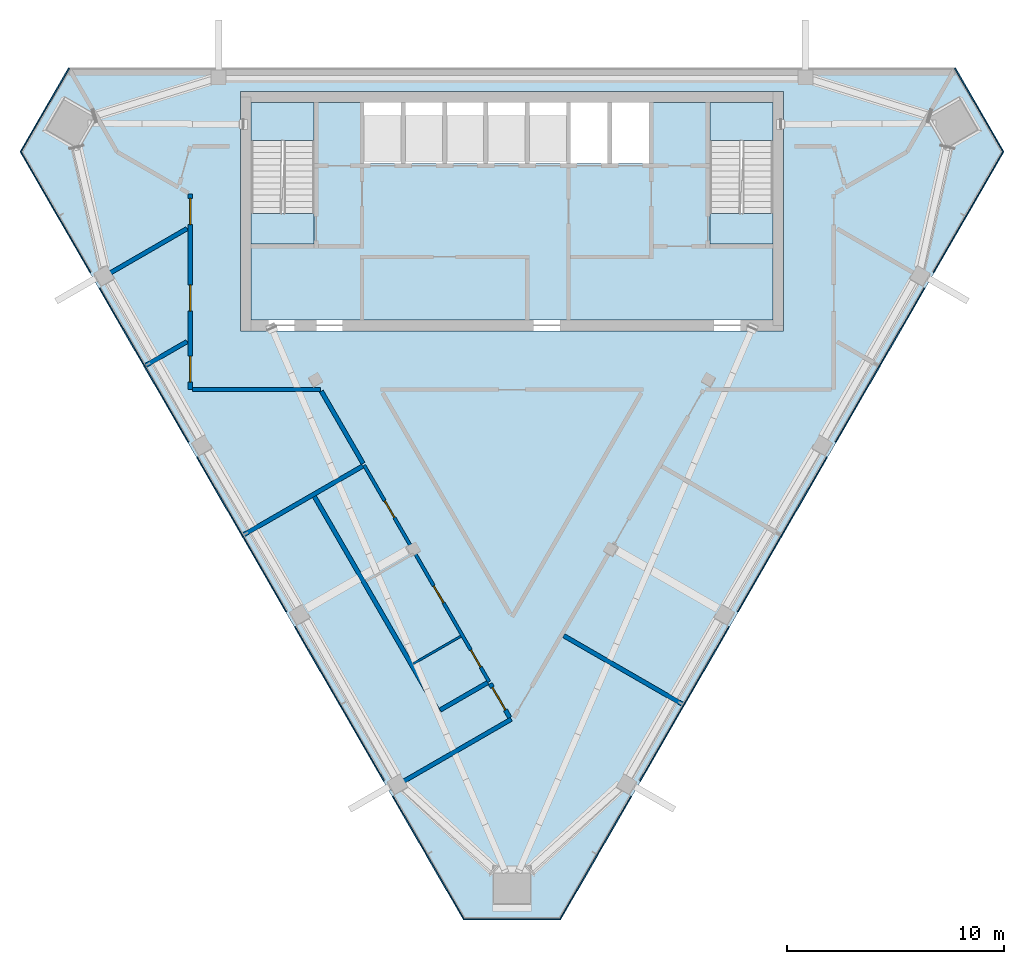
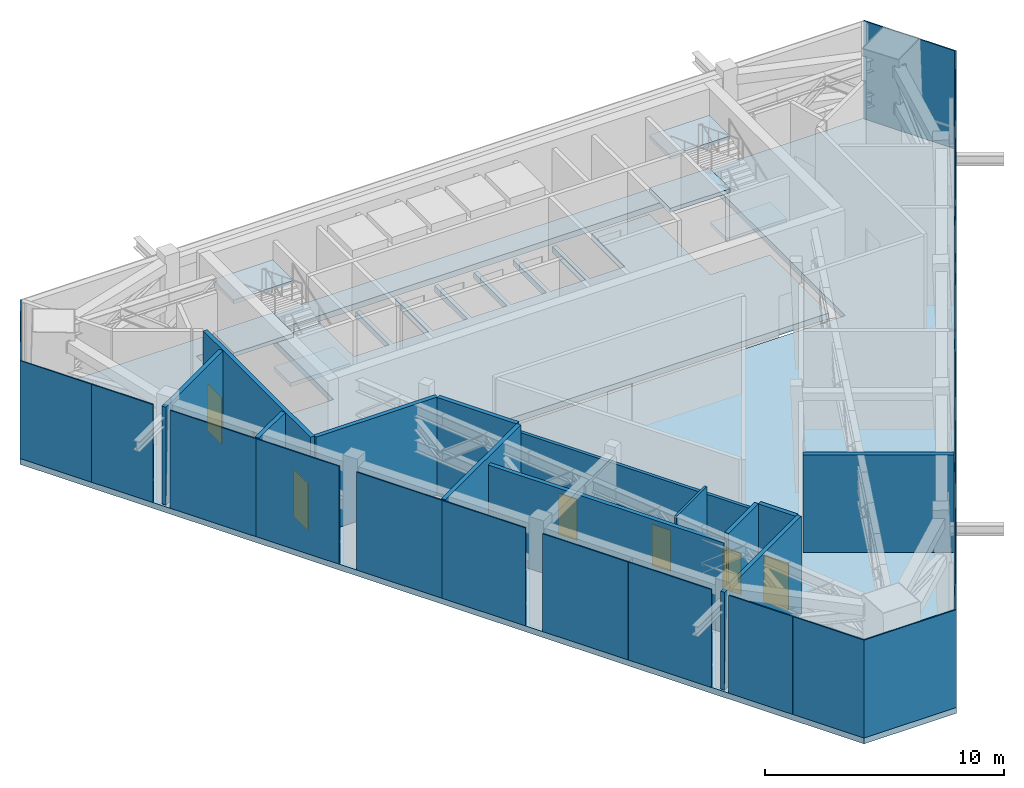
# One storey, part 7 of 13: 23 plates, 13 walls, 8 slabs, 7 doors, 7 openings, 7 elements without a shape of their own.
"""IFC4 building model written with IfcOpenShell, lengths in metres."""

from ifc_helpers import new_model, si_unit, direction, frame, frame_2d, origin, origin_2d, place, context, subcontext, project, spatial, polyline, rectangle, outline, extrude, material, layer, layer_set, type_object, element, fill, aggregate, save


model = new_model("IFC4")

# Units and contexts
model_context = context("Model", 3, precision=1e-05, world=origin(), true_north=direction((0.0, 1.0)))
body_context = subcontext(model_context, "Body", "Model", "MODEL_VIEW")
ifc_project = project(units=[si_unit("LENGTHUNIT", "METRE"), si_unit("AREAUNIT", "SQUARE_METRE"), si_unit("VOLUMEUNIT", "CUBIC_METRE"), si_unit("PLANEANGLEUNIT", "RADIAN"), si_unit("MASSUNIT", "GRAM", prefix="KILO")], contexts=[model_context])

# Site, building, storey
site_placement = place(None, origin())
site = spatial("IfcSite", under=ifc_project, at=site_placement, CompositionType="ELEMENT")
building_placement = place(site_placement, origin())
building = spatial("IfcBuilding", under=site, at=building_placement, Name="Altiplano Prism Tower", CompositionType="ELEMENT")
storey_placement = place(building_placement, frame((0.0, 0.0, 286.0)))
storey = spatial("IfcBuildingStorey", under=building, at=storey_placement, Name="L74", CompositionType="ELEMENT", Elevation=286.0)

# Curtain wall, plate
ifc_material_1 = material(Name="Aluminium and glass", Category="aluminium")
ifc_layer_1 = layer(ifc_material_1, 0.320068359375)
ifc_layer_set_1 = layer_set([ifc_layer_1], Name="Aluminium and glass")
curtain_wall_type = type_object("IfcCurtainWallType", Name="CW6 louvred plant-floor curtain wall", PredefinedType="NOTDEFINED", material=ifc_layer_set_1)
curtain_wall_1_placement = place(storey_placement, origin())
curtain_wall_1 = element("IfcCurtainWall", 1, at=curtain_wall_1_placement, inside=storey, type_object=curtain_wall_type, Name="CW6 curtain wall north-west chamfer L74", PredefinedType="NOTDEFINED")
ifc_material_2 = material(Name="Anodised aluminium", Category="aluminium")
ifc_layer_2 = layer(ifc_material_2, 0.06005859375)
ifc_layer_set_2 = layer_set([ifc_layer_2], Name="Anodised aluminium")
plate_type = type_object("IfcPlateType", Name="CW6 louvred aluminium panel 60", PredefinedType="CURTAIN_PANEL", material=ifc_layer_set_2)
plate_1_placement = place(storey_placement, frame((63.50927734375, 103.052734375, 0.0), z_axis=(0.0, 0.0, 1.0), x_axis=(-0.500000046055, -0.866025377194, 0.0)))
plate_1 = element("IfcPlate", 2, at=plate_1_placement, type_object=plate_type, Name="CW6 panel", PredefinedType="CURTAIN_PANEL", context=body_context, shape_type="SweptSolid", body=[
    extrude(rectangle(XDim=4.452392578125, YDim=0.06005859375, at=origin_2d()), origin(), (0.0, 0.0, 1.0), 5.0),
])
aggregate(curtain_wall_1, [plate_1])

# Curtain wall, plates
curtain_wall_2_placement = place(storey_placement, origin())
curtain_wall_2 = element("IfcCurtainWall", 3, at=curtain_wall_2_placement, inside=storey, type_object=curtain_wall_type, Name="CW6 curtain wall south-west face L74", PredefinedType="NOTDEFINED")
plate_2_placement = place(storey_placement, frame((63.25634765625, 99.65625, 0.0), z_axis=(0.0, 0.0, 1.0), x_axis=(0.499999994755, -0.866025406813, 0.0)))
plate_2 = element("IfcPlate", 4, at=plate_2_placement, type_object=plate_type, Name="CW6 panel", PredefinedType="CURTAIN_PANEL", context=body_context, shape_type="SweptSolid", body=[
    extrude(rectangle(XDim=3.4404296875, YDim=0.06005859375, at=origin_2d()), origin(), (0.0, 0.0, 1.0), 5.0),
])
plate_3_placement = place(storey_placement, frame((64.864013671875, 96.87158203125, 0.0), z_axis=(0.0, 0.0, 1.0), x_axis=(0.499999994755, -0.866025406813, 0.0)))
plate_3 = element("IfcPlate", 5, at=plate_3_placement, type_object=plate_type, Name="CW6 panel", PredefinedType="CURTAIN_PANEL", context=body_context, shape_type="SweptSolid", body=[
    extrude(rectangle(XDim=2.970458984375, YDim=0.06005859375, at=origin_2d()), origin(), (0.0, 0.0, 1.0), 5.0),
])
plate_4_placement = place(storey_placement, frame((67.056884765625, 93.07373046875, 0.0), z_axis=(0.0, 0.0, 1.0), x_axis=(0.499999994755, -0.866025406813, 0.0)))
plate_4 = element("IfcPlate", 6, at=plate_4_placement, type_object=plate_type, Name="CW6 panel", PredefinedType="CURTAIN_PANEL", context=body_context, shape_type="SweptSolid", body=[
    extrude(rectangle(XDim=4.139892578125, YDim=0.06005859375, at=origin_2d()), origin(), (0.0, 0.0, 1.0), 5.0),
])
plate_5_placement = place(storey_placement, frame((69.101806640625, 89.53173828125, 0.0), z_axis=(0.0, 0.0, 1.0), x_axis=(0.499999994755, -0.866025406813, 0.0)))
plate_5 = element("IfcPlate", 7, at=plate_5_placement, type_object=plate_type, Name="CW6 panel", PredefinedType="CURTAIN_PANEL", context=body_context, shape_type="SweptSolid", body=[
    extrude(rectangle(XDim=4.02001953125, YDim=0.06005859375, at=origin_2d()), origin(), (0.0, 0.0, 1.0), 5.0),
])
plate_6_placement = place(storey_placement, frame((71.556884765625, 85.279541015625, 0.0), z_axis=(0.0, 0.0, 1.0), x_axis=(0.499999994755, -0.866025406813, 0.0)))
plate_6 = element("IfcPlate", 8, at=plate_6_placement, type_object=plate_type, Name="CW6 panel", PredefinedType="CURTAIN_PANEL", context=body_context, shape_type="SweptSolid", body=[
    extrude(rectangle(XDim=4.139892578125, YDim=0.06005859375, at=origin_2d()), origin(), (0.0, 0.0, 1.0), 5.0),
])
plate_7_placement = place(storey_placement, frame((73.601806640625, 81.737548828125, 0.0), z_axis=(0.0, 0.0, 1.0), x_axis=(0.499999994755, -0.866025406813, 0.0)))
plate_7 = element("IfcPlate", 9, at=plate_7_placement, type_object=plate_type, Name="CW6 panel", PredefinedType="CURTAIN_PANEL", context=body_context, shape_type="SweptSolid", body=[
    extrude(rectangle(XDim=4.02001953125, YDim=0.06005859375, at=origin_2d()), origin(), (0.0, 0.0, 1.0), 5.0),
])
plate_8_placement = place(storey_placement, frame((76.056884765625, 77.4853515625, 0.0), z_axis=(0.0, 0.0, 1.0), x_axis=(0.499999994755, -0.866025406813, 0.0)))
plate_8 = element("IfcPlate", 10, at=plate_8_placement, type_object=plate_type, Name="CW6 panel", PredefinedType="CURTAIN_PANEL", context=body_context, shape_type="SweptSolid", body=[
    extrude(rectangle(XDim=4.139892578125, YDim=0.06005859375, at=origin_2d()), origin(), (0.0, 0.0, 1.0), 5.0),
])
plate_9_placement = place(storey_placement, frame((78.101806640625, 73.943359375, 0.0), z_axis=(0.0, 0.0, 1.0), x_axis=(0.499999994755, -0.866025406813, 0.0)))
plate_9 = element("IfcPlate", 11, at=plate_9_placement, type_object=plate_type, Name="CW6 panel", PredefinedType="CURTAIN_PANEL", context=body_context, shape_type="SweptSolid", body=[
    extrude(rectangle(XDim=4.02001953125, YDim=0.06005859375, at=origin_2d()), origin(), (0.0, 0.0, 1.0), 5.0),
])
plate_10_placement = place(storey_placement, frame((80.29443359375, 70.1455078125, 0.0), z_axis=(0.0, 0.0, 1.0), x_axis=(0.499999994755, -0.866025406813, 0.0)))
plate_10 = element("IfcPlate", 12, at=plate_10_placement, type_object=plate_type, Name="CW6 panel", PredefinedType="CURTAIN_PANEL", context=body_context, shape_type="SweptSolid", body=[
    extrude(rectangle(XDim=3.09033203125, YDim=0.06005859375, at=origin_2d()), origin(), (0.0, 0.0, 1.0), 5.0),
])
plate_11_placement = place(storey_placement, frame((81.93212890625, 67.308837890625, 0.0), z_axis=(0.0, 0.0, 1.0), x_axis=(0.499999994755, -0.866025406813, 0.0)))
plate_11 = element("IfcPlate", 13, at=plate_11_placement, type_object=plate_type, Name="CW6 panel", PredefinedType="CURTAIN_PANEL", context=body_context, shape_type="SweptSolid", body=[
    extrude(rectangle(XDim=3.4404296875, YDim=0.06005859375, at=origin_2d()), origin(), (0.0, 0.0, 1.0), 5.0),
])
aggregate(curtain_wall_2, [plate_2, plate_3, plate_4, plate_5, plate_6, plate_7, plate_8, plate_9, plate_10, plate_11])

# Curtain wall, plate
curtain_wall_3_placement = place(storey_placement, origin())
curtain_wall_3 = element("IfcCurtainWall", 14, at=curtain_wall_3_placement, inside=storey, type_object=curtain_wall_type, Name="CW6 curtain wall south chamfer L74", PredefinedType="NOTDEFINED")
plate_12_placement = place(storey_placement, frame((85.0, 65.829833984375, 0.0), z_axis=(0.0, 0.0, 1.0), x_axis=(1.0, 0.0, 0.0)))
plate_12 = element("IfcPlate", 15, at=plate_12_placement, type_object=plate_type, Name="CW6 panel", PredefinedType="CURTAIN_PANEL", context=body_context, shape_type="SweptSolid", body=[
    extrude(rectangle(XDim=4.452392578125, YDim=0.06005859375, at=origin_2d()), origin(), (0.0, 0.0, 1.0), 5.0),
])
aggregate(curtain_wall_3, [plate_12])

# Curtain wall, plates
curtain_wall_4_placement = place(storey_placement, origin())
curtain_wall_4 = element("IfcCurtainWall", 16, at=curtain_wall_4_placement, inside=storey, type_object=curtain_wall_type, Name="CW6 curtain wall south-east face L74", PredefinedType="NOTDEFINED")
plate_13_placement = place(storey_placement, frame((88.06787109375, 67.308837890625, 0.0), z_axis=(0.0, 0.0, 1.0), x_axis=(0.499999994755, 0.866025406813, 0.0)))
plate_13 = element("IfcPlate", 17, at=plate_13_placement, type_object=plate_type, Name="CW6 panel", PredefinedType="CURTAIN_PANEL", context=body_context, shape_type="SweptSolid", body=[
    extrude(rectangle(XDim=3.4404296875, YDim=0.06005859375, at=origin_2d()), origin(), (0.0, 0.0, 1.0), 5.0),
])
plate_14_placement = place(storey_placement, frame((89.70556640625, 70.1455078125, 0.0), z_axis=(0.0, 0.0, 1.0), x_axis=(0.499999994755, 0.866025406813, 0.0)))
plate_14 = element("IfcPlate", 18, at=plate_14_placement, type_object=plate_type, Name="CW6 panel", PredefinedType="CURTAIN_PANEL", context=body_context, shape_type="SweptSolid", body=[
    extrude(rectangle(XDim=3.09033203125, YDim=0.06005859375, at=origin_2d()), origin(), (0.0, 0.0, 1.0), 5.0),
])
plate_15_placement = place(storey_placement, frame((91.898193359375, 73.943359375, 0.0), z_axis=(0.0, 0.0, 1.0), x_axis=(0.499999994755, 0.866025406813, 0.0)))
plate_15 = element("IfcPlate", 19, at=plate_15_placement, type_object=plate_type, Name="CW6 panel", PredefinedType="CURTAIN_PANEL", context=body_context, shape_type="SweptSolid", body=[
    extrude(rectangle(XDim=4.02001953125, YDim=0.06005859375, at=origin_2d()), origin(), (0.0, 0.0, 1.0), 5.0),
])
plate_16_placement = place(storey_placement, frame((93.943115234375, 77.4853515625, 0.0), z_axis=(0.0, 0.0, 1.0), x_axis=(0.499999994755, 0.866025406813, 0.0)))
plate_16 = element("IfcPlate", 20, at=plate_16_placement, type_object=plate_type, Name="CW6 panel", PredefinedType="CURTAIN_PANEL", context=body_context, shape_type="SweptSolid", body=[
    extrude(rectangle(XDim=4.139892578125, YDim=0.06005859375, at=origin_2d()), origin(), (0.0, 0.0, 1.0), 5.0),
])
plate_17_placement = place(storey_placement, frame((96.398193359375, 81.737548828125, 0.0), z_axis=(0.0, 0.0, 1.0), x_axis=(0.499999994755, 0.866025406813, 0.0)))
plate_17 = element("IfcPlate", 21, at=plate_17_placement, type_object=plate_type, Name="CW6 panel", PredefinedType="CURTAIN_PANEL", context=body_context, shape_type="SweptSolid", body=[
    extrude(rectangle(XDim=4.02001953125, YDim=0.06005859375, at=origin_2d()), origin(), (0.0, 0.0, 1.0), 5.0),
])
plate_18_placement = place(storey_placement, frame((98.443115234375, 85.279541015625, 0.0), z_axis=(0.0, 0.0, 1.0), x_axis=(0.499999994755, 0.866025406813, 0.0)))
plate_18 = element("IfcPlate", 22, at=plate_18_placement, type_object=plate_type, Name="CW6 panel", PredefinedType="CURTAIN_PANEL", context=body_context, shape_type="SweptSolid", body=[
    extrude(rectangle(XDim=4.139892578125, YDim=0.06005859375, at=origin_2d()), origin(), (0.0, 0.0, 1.0), 5.0),
])
plate_19_placement = place(storey_placement, frame((100.898193359375, 89.53173828125, 0.0), z_axis=(0.0, 0.0, 1.0), x_axis=(0.499999994755, 0.866025406813, 0.0)))
plate_19 = element("IfcPlate", 23, at=plate_19_placement, type_object=plate_type, Name="CW6 panel", PredefinedType="CURTAIN_PANEL", context=body_context, shape_type="SweptSolid", body=[
    extrude(rectangle(XDim=4.02001953125, YDim=0.06005859375, at=origin_2d()), origin(), (0.0, 0.0, 1.0), 5.0),
])
plate_20_placement = place(storey_placement, frame((102.943115234375, 93.07373046875, 0.0), z_axis=(0.0, 0.0, 1.0), x_axis=(0.499999994755, 0.866025406813, 0.0)))
plate_20 = element("IfcPlate", 24, at=plate_20_placement, type_object=plate_type, Name="CW6 panel", PredefinedType="CURTAIN_PANEL", context=body_context, shape_type="SweptSolid", body=[
    extrude(rectangle(XDim=4.139892578125, YDim=0.06005859375, at=origin_2d()), origin(), (0.0, 0.0, 1.0), 5.0),
])
plate_21_placement = place(storey_placement, frame((105.135986328125, 96.87158203125, 0.0), z_axis=(0.0, 0.0, 1.0), x_axis=(0.499999994755, 0.866025406813, 0.0)))
plate_21 = element("IfcPlate", 25, at=plate_21_placement, type_object=plate_type, Name="CW6 panel", PredefinedType="CURTAIN_PANEL", context=body_context, shape_type="SweptSolid", body=[
    extrude(rectangle(XDim=2.970458984375, YDim=0.06005859375, at=origin_2d()), origin(), (0.0, 0.0, 1.0), 5.0),
])
plate_22_placement = place(storey_placement, frame((106.74365234375, 99.65625, 0.0), z_axis=(0.0, 0.0, 1.0), x_axis=(0.499999994755, 0.866025406813, 0.0)))
plate_22 = element("IfcPlate", 26, at=plate_22_placement, type_object=plate_type, Name="CW6 panel", PredefinedType="CURTAIN_PANEL", context=body_context, shape_type="SweptSolid", body=[
    extrude(rectangle(XDim=3.4404296875, YDim=0.06005859375, at=origin_2d()), origin(), (0.0, 0.0, 1.0), 5.0),
])
aggregate(curtain_wall_4, [plate_13, plate_14, plate_15, plate_16, plate_17, plate_18, plate_19, plate_20, plate_21, plate_22])

# Curtain wall, plate
curtain_wall_5_placement = place(storey_placement, origin())
curtain_wall_5 = element("IfcCurtainWall", 27, at=curtain_wall_5_placement, inside=storey, type_object=curtain_wall_type, Name="CW6 curtain wall north-east chamfer L74", PredefinedType="NOTDEFINED")
plate_23_placement = place(storey_placement, frame((106.49072265625, 103.052734375, 0.0), z_axis=(0.0, 0.0, 1.0), x_axis=(-0.500000046055, 0.866025377194, 0.0)))
plate_23 = element("IfcPlate", 28, at=plate_23_placement, type_object=plate_type, Name="CW6 panel", PredefinedType="CURTAIN_PANEL", context=body_context, shape_type="SweptSolid", body=[
    extrude(rectangle(XDim=4.452392578125, YDim=0.06005859375, at=origin_2d()), origin(), (0.0, 0.0, 1.0), 5.0),
])
aggregate(curtain_wall_5, [plate_23])

# Slabs
ifc_material_3 = material(Name="Concrete C40/50", Category="concrete")
ifc_layer_3 = layer(ifc_material_3, 0.300048828125)
ifc_layer_set_3 = layer_set([ifc_layer_3], Name="Concrete C40/50")
slab_type_1 = type_object("IfcSlabType", Name="Core floor slab 300", PredefinedType="FLOOR", material=ifc_layer_set_3)
slab_1_placement = place(storey_placement, frame((0.0, 0.0, -0.300048828125)))
element("IfcSlab", 29, at=slab_1_placement, inside=storey, type_object=slab_type_1, Name="Core floor slab L74", PredefinedType="FLOOR", context=body_context, shape_type="SweptSolid", body=[
    extrude(outline(polyline([(97.0, 98.31005859375), (94.10009765625, 98.31005859375), (94.10009765625, 103.39990234375), (91.300048828125, 103.39990234375), (91.300048828125, 100.60009765625), (89.60009765625, 100.60009765625), (89.60009765625, 103.39990234375), (89.39990234375, 103.39990234375), (89.39990234375, 100.60009765625), (87.699951171875, 100.60009765625), (87.699951171875, 103.39990234375), (87.5, 103.39990234375), (87.5, 100.60009765625), (85.800048828125, 100.60009765625), (85.800048828125, 103.39990234375), (85.60009765625, 103.39990234375), (85.60009765625, 100.60009765625), (83.89990234375, 100.60009765625), (83.89990234375, 103.39990234375), (83.699951171875, 103.39990234375), (83.699951171875, 100.60009765625), (82.0, 100.60009765625), (82.0, 103.39990234375), (81.800048828125, 103.39990234375), (81.800048828125, 100.60009765625), (80.10009765625, 100.60009765625), (80.10009765625, 103.39990234375), (79.89990234375, 103.39990234375), (79.89990234375, 100.60009765625), (78.199951171875, 100.60009765625), (78.199951171875, 103.39990234375), (75.89990234375, 103.39990234375), (75.89990234375, 98.31005859375), (73.0, 98.31005859375), (73.0, 93.39990234375), (97.0, 93.39990234375), (97.0, 98.31005859375)])), origin(), (0.0, 0.0, 1.0), 0.300048828125),
])
ifc_layer_4 = layer(ifc_material_3, 0.300048828125)
ifc_layer_set_4 = layer_set([ifc_layer_4], Name="Concrete C40/50")
slab_type_2 = type_object("IfcSlabType", Name="Post-tensioned flat slab 300", PredefinedType="FLOOR", material=ifc_layer_set_4)
slab_2_placement = place(storey_placement, frame((0.0, 0.0, -0.300048828125)))
element("IfcSlab", 30, at=slab_2_placement, inside=storey, type_object=slab_type_2, Name="Floor slab L74", PredefinedType="FLOOR", context=body_context, shape_type="SweptSolid", body=[
    extrude(outline(polyline([(107.63232421875, 101.135498046875), (87.231201171875, 65.7998046875), (82.768798828125, 65.7998046875), (62.36767578125, 101.135498046875), (64.598876953125, 105.0), (105.401123046875, 105.0), (107.63232421875, 101.135498046875)]), holes=[polyline([(97.5, 92.89990234375), (97.5, 103.89990234375), (72.5, 103.89990234375), (72.5, 92.89990234375), (97.5, 92.89990234375)])]), origin(), (0.0, 0.0, 1.0), 0.300048828125),
])

# Stair, slabs
stair_type = type_object("IfcStairType", Name="Exit stair 1400", PredefinedType="HALF_TURN_STAIR", material=ifc_material_3)
stair_1_placement = place(storey_placement, origin())
stair_1 = element("IfcStair", 31, at=stair_1_placement, inside=storey, type_object=stair_type, Name="L74 Exit Stair 1", PredefinedType="HALF_TURN_STAIR")
ifc_layer_5 = layer(ifc_material_3, 0.199951171875)
ifc_layer_set_5 = layer_set([ifc_layer_5], Name="Concrete C40/50")
slab_type_3 = type_object("IfcSlabType", Name="Stair landing 200", PredefinedType="LANDING", material=ifc_layer_set_5)
slab_3_placement = place(storey_placement, frame((0.0, 0.0, 1.14990234375)))
slab_3 = element("IfcSlab", 32, at=slab_3_placement, type_object=slab_type_3, Name="ST1 landing 1", PredefinedType="LANDING", context=body_context, shape_type="SweptSolid", body=[
    extrude(outline(polyline([(75.89990234375, 101.656982421875), (75.89990234375, 103.39990234375), (73.0, 103.39990234375), (73.0, 101.656982421875), (75.89990234375, 101.656982421875)])), origin(), (0.0, 0.0, 1.0), 0.2001953125),
])
slab_4_placement = place(storey_placement, frame((0.0, 0.0, 2.5)))
slab_4 = element("IfcSlab", 33, at=slab_4_placement, type_object=slab_type_3, Name="ST1 landing 2", PredefinedType="LANDING", context=body_context, shape_type="SweptSolid", body=[
    extrude(outline(polyline([(75.89990234375, 96.89990234375), (75.89990234375, 98.302978515625), (73.0, 98.302978515625), (73.0, 96.89990234375), (75.89990234375, 96.89990234375)])), origin(), (0.0, 0.0, 1.0), 0.199951171875),
])
slab_5_placement = place(storey_placement, frame((0.0, 0.0, 3.85009765625)))
slab_5 = element("IfcSlab", 34, at=slab_5_placement, type_object=slab_type_3, Name="ST1 landing 3", PredefinedType="LANDING", context=body_context, shape_type="SweptSolid", body=[
    extrude(outline(polyline([(75.89990234375, 101.656982421875), (75.89990234375, 103.39990234375), (73.0, 103.39990234375), (73.0, 101.656982421875), (75.89990234375, 101.656982421875)])), origin(), (0.0, 0.0, 1.0), 0.199951171875),
])
aggregate(stair_1, [slab_3, slab_4, slab_5])

stair_2_placement = place(storey_placement, origin())
stair_2 = element("IfcStair", 35, at=stair_2_placement, inside=storey, type_object=stair_type, Name="L74 Exit Stair 2", PredefinedType="HALF_TURN_STAIR")
slab_6_placement = place(storey_placement, frame((0.0, 0.0, 1.14990234375)))
slab_6 = element("IfcSlab", 36, at=slab_6_placement, type_object=slab_type_3, Name="ST2 landing 1", PredefinedType="LANDING", context=body_context, shape_type="SweptSolid", body=[
    extrude(outline(polyline([(97.0, 101.656982421875), (97.0, 103.39990234375), (94.10009765625, 103.39990234375), (94.10009765625, 101.656982421875), (97.0, 101.656982421875)])), origin(), (0.0, 0.0, 1.0), 0.2001953125),
])
slab_7_placement = place(storey_placement, frame((0.0, 0.0, 2.5)))
slab_7 = element("IfcSlab", 37, at=slab_7_placement, type_object=slab_type_3, Name="ST2 landing 2", PredefinedType="LANDING", context=body_context, shape_type="SweptSolid", body=[
    extrude(outline(polyline([(97.0, 96.89990234375), (97.0, 98.302978515625), (94.10009765625, 98.302978515625), (94.10009765625, 96.89990234375), (97.0, 96.89990234375)])), origin(), (0.0, 0.0, 1.0), 0.199951171875),
])
slab_8_placement = place(storey_placement, frame((0.0, 0.0, 3.85009765625)))
slab_8 = element("IfcSlab", 38, at=slab_8_placement, type_object=slab_type_3, Name="ST2 landing 3", PredefinedType="LANDING", context=body_context, shape_type="SweptSolid", body=[
    extrude(outline(polyline([(97.0, 101.656982421875), (97.0, 103.39990234375), (94.10009765625, 103.39990234375), (94.10009765625, 101.656982421875), (97.0, 101.656982421875)])), origin(), (0.0, 0.0, 1.0), 0.199951171875),
])
aggregate(stair_2, [slab_6, slab_7, slab_8])

# Wall
ifc_material_4 = material(Name="Plasterboard on steel stud", Category="steel")
ifc_layer_6 = layer(ifc_material_4, 0.10009765625)
ifc_layer_set_6 = layer_set([ifc_layer_6], Name="Plasterboard on steel stud")
wall_type_1 = type_object("IfcWallType", Name="Partition 100 wet", PredefinedType="PARTITIONING", material=ifc_layer_set_6)
wall_1_placement = place(storey_placement, frame((80.4638671875, 77.59228515625, 0.0), z_axis=(0.0, 0.0, 1.0), x_axis=(0.866014894461, 0.50001820224, 0.0)))
element("IfcWall", 39, at=wall_1_placement, inside=storey, type_object=wall_type_1, Name="Partition P03 L74 033", PredefinedType="PARTITIONING", context=body_context, shape_type="SweptSolid", body=[
    extrude(rectangle(XDim=2.52490234375, YDim=0.10009765625, at=frame_2d((1.262451171875, 0.0))), origin(), (0.0, 0.0, 1.0), 5.0),
])

# Wall, openings, doors
ifc_layer_7 = layer(ifc_material_4, 0.14990234375)
ifc_layer_set_7 = layer_set([ifc_layer_7], Name="Plasterboard on steel stud")
wall_type_2 = type_object("IfcWallType", Name="Partition 150 corridor", PredefinedType="PARTITIONING", material=ifc_layer_set_7)
wall_2_placement = place(storey_placement, frame((78.197509765625, 86.717529296875, 0.0), z_axis=(0.0, 0.0, 1.0), x_axis=(0.500002395808, -0.866024020559, 0.0)))
wall_2 = element("IfcWall", 40, at=wall_2_placement, inside=storey, type_object=wall_type_2, Name="Partition P06 L74 017", PredefinedType="PARTITIONING", context=body_context, shape_type="SweptSolid", body=[
    extrude(rectangle(XDim=11.5, YDim=0.14990234375, at=frame_2d((5.75, 0.0))), origin(), (0.0, 0.0, 1.0), 4.60009765625),
])
opening_1_placement = place(wall_2_placement, frame((1.884033203125, 0.0, 0.0)))
opening_1 = element("IfcOpeningElement", 41, at=opening_1_placement, cuts=wall_2, Name="Opening D2303", PredefinedType="OPENING", context=body_context, shape_type="SweptSolid", body=[
    extrude(rectangle(XDim=0.89990234375, YDim=2.10009765625, at=frame_2d((0.449951171875, 1.050048828125))), frame((0.0, 0.08544921875, 0.0), z_axis=(0.0, -1.0, 0.0), x_axis=(1.0, 0.0, 0.0)), (0.0, 0.0, 1.0), 0.1708984375),
])
opening_2_placement = place(wall_2_placement, frame((6.402099609375, 0.0, 0.0)))
opening_2 = element("IfcOpeningElement", 42, at=opening_2_placement, cuts=wall_2, Name="Opening D2304", PredefinedType="OPENING", context=body_context, shape_type="SweptSolid", body=[
    extrude(rectangle(XDim=0.89990234375, YDim=2.10009765625, at=frame_2d((0.449951171875, 1.050048828125))), frame((0.0, 0.08544921875, 0.0), z_axis=(0.0, -1.0, 0.0), x_axis=(1.0, 0.0, 0.0)), (0.0, 0.0, 1.0), 0.1708984375),
])
opening_3_placement = place(wall_2_placement, frame((9.818115234375, 0.0, 0.0)))
opening_3 = element("IfcOpeningElement", 43, at=opening_3_placement, cuts=wall_2, Name="Opening D2305", PredefinedType="OPENING", context=body_context, shape_type="SweptSolid", body=[
    extrude(rectangle(XDim=0.89990234375, YDim=2.10009765625, at=frame_2d((0.449951171875, 1.050048828125))), frame((0.0, 0.08544921875, 0.0), z_axis=(0.0, -1.0, 0.0), x_axis=(1.0, 0.0, 0.0)), (0.0, 0.0, 1.0), 0.1708984375),
])
ifc_material_5 = material(Name="Timber", Category="wood")
door_type_1 = type_object("IfcDoorType", Name="Toilet door 900 x 2100", OperationType="NOTDEFINED", PredefinedType="NOTDEFINED", material=ifc_material_5)
door_1_placement = place(opening_1_placement, origin())
door_1 = element("IfcDoor", 44, at=door_1_placement, inside=storey, type_object=door_type_1, Name="Door D2303", OperationType="SINGLE_SWING_RIGHT", OverallHeight=2.10009765625, OverallWidth=0.89990234375, PredefinedType="NOTDEFINED", context=body_context, shape_type="SweptSolid", body=[
    extrude(rectangle(XDim=0.89990234375, YDim=2.10009765625, at=frame_2d((0.449951171875, 1.050048828125))), frame((0.0, 0.02490234375, 0.0), z_axis=(0.0, -1.0, 0.0), x_axis=(1.0, 0.0, 0.0)), (0.0, 0.0, 1.0), 0.050048828125),
])
fill(opening_1, door_1)
door_2_placement = place(opening_2_placement, origin())
door_2 = element("IfcDoor", 45, at=door_2_placement, inside=storey, type_object=door_type_1, Name="Door D2304", OperationType="SINGLE_SWING_LEFT", OverallHeight=2.10009765625, OverallWidth=0.89990234375, PredefinedType="NOTDEFINED", context=body_context, shape_type="SweptSolid", body=[
    extrude(rectangle(XDim=0.89990234375, YDim=2.10009765625, at=frame_2d((0.449951171875, 1.050048828125))), frame((0.0, 0.02490234375, 0.0), z_axis=(0.0, -1.0, 0.0), x_axis=(1.0, 0.0, 0.0)), (0.0, 0.0, 1.0), 0.050048828125),
])
fill(opening_2, door_2)
door_3_placement = place(opening_3_placement, origin())
door_3 = element("IfcDoor", 46, at=door_3_placement, inside=storey, type_object=door_type_1, Name="Door D2305", OperationType="SINGLE_SWING_RIGHT", OverallHeight=2.10009765625, OverallWidth=0.89990234375, PredefinedType="NOTDEFINED", context=body_context, shape_type="SweptSolid", body=[
    extrude(rectangle(XDim=0.89990234375, YDim=2.10009765625, at=frame_2d((0.449951171875, 1.050048828125))), frame((0.0, 0.02490234375, 0.0), z_axis=(0.0, -1.0, 0.0), x_axis=(1.0, 0.0, 0.0)), (0.0, 0.0, 1.0), 0.050048828125),
])
fill(opening_3, door_3)

ifc_layer_8 = layer(ifc_material_4, 0.199951171875)
ifc_layer_set_8 = layer_set([ifc_layer_8], Name="Plasterboard on steel stud")
wall_type_3 = type_object("IfcWallType", Name="Partition 200 plant", PredefinedType="PARTITIONING", material=ifc_layer_set_8)
wall_3_placement = place(storey_placement, frame((70.199951171875, 99.18994140625, 0.0), z_axis=(0.0, 0.0, 1.0), x_axis=(0.0, -1.0, 0.0)))
wall_3 = element("IfcWall", 47, at=wall_3_placement, inside=storey, type_object=wall_type_3, Name="Partition P04 L74 002", PredefinedType="PARTITIONING", context=body_context, shape_type="SweptSolid", body=[
    extrude(rectangle(XDim=8.989990234375, YDim=0.199951171875, at=frame_2d((4.4951171875, 0.0))), origin(), (0.0, 0.0, 1.0), 5.0),
])
opening_4_placement = place(wall_3_placement, frame((0.199951171875, 0.0, 0.0)))
opening_4 = element("IfcOpeningElement", 48, at=opening_4_placement, cuts=wall_3, Name="Opening D2291", PredefinedType="OPENING", context=body_context, shape_type="SweptSolid", body=[
    extrude(rectangle(XDim=1.199951171875, YDim=2.39990234375, at=frame_2d((0.60009765625, 1.199951171875))), frame((0.0, 0.1103515625, 0.0), z_axis=(0.0, -1.0, 0.0), x_axis=(1.0, 0.0, 0.0)), (0.0, 0.0, 1.0), 0.220947265625),
])
opening_5_placement = place(wall_3_placement, frame((4.177978515625, 0.0, 0.0)))
opening_5 = element("IfcOpeningElement", 49, at=opening_5_placement, cuts=wall_3, Name="Opening D2292", PredefinedType="OPENING", context=body_context, shape_type="SweptSolid", body=[
    extrude(rectangle(XDim=1.199951171875, YDim=2.39990234375, at=frame_2d((0.60009765625, 1.199951171875))), frame((0.0, 0.1103515625, 0.0), z_axis=(0.0, -1.0, 0.0), x_axis=(1.0, 0.0, 0.0)), (0.0, 0.0, 1.0), 0.220947265625),
])
opening_6_placement = place(wall_3_placement, frame((7.450927734375, 0.0, 0.0)))
opening_6 = element("IfcOpeningElement", 50, at=opening_6_placement, cuts=wall_3, Name="Opening D2293", PredefinedType="OPENING", context=body_context, shape_type="SweptSolid", body=[
    extrude(rectangle(XDim=1.199951171875, YDim=2.39990234375, at=frame_2d((0.60009765625, 1.199951171875))), frame((0.0, 0.1103515625, 0.0), z_axis=(0.0, -1.0, 0.0), x_axis=(1.0, 0.0, 0.0)), (0.0, 0.0, 1.0), 0.220947265625),
])
ifc_material_6 = material(Name="Painted steel door leaf", Category="steel")
door_type_2 = type_object("IfcDoorType", Name="Plant room door 1200 x 2400", OperationType="NOTDEFINED", PredefinedType="NOTDEFINED", material=ifc_material_6)
door_4_placement = place(opening_4_placement, origin())
door_4 = element("IfcDoor", 51, at=door_4_placement, inside=storey, type_object=door_type_2, Name="Door D2291", OperationType="SINGLE_SWING_RIGHT", OverallHeight=2.39990234375, OverallWidth=1.199951171875, PredefinedType="NOTDEFINED", context=body_context, shape_type="SweptSolid", body=[
    extrude(rectangle(XDim=1.199951171875, YDim=2.39990234375, at=frame_2d((0.60009765625, 1.199951171875))), frame((0.0, 0.02490234375, 0.0), z_axis=(0.0, -1.0, 0.0), x_axis=(1.0, 0.0, 0.0)), (0.0, 0.0, 1.0), 0.050048828125),
])
fill(opening_4, door_4)
door_5_placement = place(opening_5_placement, origin())
door_5 = element("IfcDoor", 52, at=door_5_placement, inside=storey, type_object=door_type_2, Name="Door D2292", OperationType="SINGLE_SWING_LEFT", OverallHeight=2.39990234375, OverallWidth=1.199951171875, PredefinedType="NOTDEFINED", context=body_context, shape_type="SweptSolid", body=[
    extrude(rectangle(XDim=1.199951171875, YDim=2.39990234375, at=frame_2d((0.60009765625, 1.199951171875))), frame((0.0, 0.02490234375, 0.0), z_axis=(0.0, -1.0, 0.0), x_axis=(1.0, 0.0, 0.0)), (0.0, 0.0, 1.0), 0.050048828125),
])
fill(opening_5, door_5)
door_6_placement = place(opening_6_placement, origin())
door_6 = element("IfcDoor", 53, at=door_6_placement, inside=storey, type_object=door_type_2, Name="Door D2293", OperationType="SINGLE_SWING_LEFT", OverallHeight=2.39990234375, OverallWidth=1.199951171875, PredefinedType="NOTDEFINED", context=body_context, shape_type="SweptSolid", body=[
    extrude(rectangle(XDim=1.199951171875, YDim=2.39990234375, at=frame_2d((0.60009765625, 1.199951171875))), frame((0.0, 0.02490234375, 0.0), z_axis=(0.0, -1.0, 0.0), x_axis=(1.0, 0.0, 0.0)), (0.0, 0.0, 1.0), 0.050048828125),
])
fill(opening_6, door_6)

# Walls
wall_4_placement = place(storey_placement, frame((70.300048828125, 90.199951171875, 0.0), z_axis=(0.0, 0.0, 1.0), x_axis=(1.0, 0.0, 0.0)))
element("IfcWall", 54, at=wall_4_placement, inside=storey, type_object=wall_type_3, Name="Partition P04 L74 003", PredefinedType="PARTITIONING", context=body_context, shape_type="SweptSolid", body=[
    extrude(rectangle(XDim=5.886962890625, YDim=0.199951171875, at=frame_2d((2.943359375, 0.0))), origin(), (0.0, 0.0, 1.0), 5.0),
])
wall_5_placement = place(storey_placement, frame((76.230224609375, 90.125, 0.0), z_axis=(0.0, 0.0, 1.0), x_axis=(0.499994348001, -0.866028666943, 0.0)))
element("IfcWall", 55, at=wall_5_placement, inside=storey, type_object=wall_type_3, Name="Partition P04 L74 004", PredefinedType="PARTITIONING", context=body_context, shape_type="SweptSolid", body=[
    extrude(rectangle(XDim=3.83447265625, YDim=0.199951171875, at=frame_2d((1.917236328125, 0.0))), origin(), (0.0, 0.0, 1.0), 5.0),
])

# Wall, opening, door
wall_6_placement = place(storey_placement, frame((83.997314453125, 76.671630859375, 0.0), z_axis=(0.0, 0.0, 1.0), x_axis=(0.500062916607, -0.865989075817, 0.0)))
wall_6 = element("IfcWall", 56, at=wall_6_placement, inside=storey, type_object=wall_type_3, Name="Partition P04 L74 005", PredefinedType="PARTITIONING", context=body_context, shape_type="SweptSolid", body=[
    extrude(rectangle(XDim=1.800048828125, YDim=0.199951171875, at=frame_2d((0.89990234375, 0.0))), origin(), (0.0, 0.0, 1.0), 5.0),
])
opening_7_placement = place(wall_6_placement, frame((0.199951171875, 0.0, 0.0)))
opening_7 = element("IfcOpeningElement", 57, at=opening_7_placement, cuts=wall_6, Name="Opening D2294", PredefinedType="OPENING", context=body_context, shape_type="SweptSolid", body=[
    extrude(rectangle(XDim=1.199951171875, YDim=2.39990234375, at=frame_2d((0.60009765625, 1.199951171875))), frame((0.0, 0.1103515625, 0.0), z_axis=(0.0, -1.0, 0.0), x_axis=(1.0, 0.0, 0.0)), (0.0, 0.0, 1.0), 0.220947265625),
])
door_7_placement = place(opening_7_placement, origin())
door_7 = element("IfcDoor", 58, at=door_7_placement, inside=storey, type_object=door_type_2, Name="Door D2294", OperationType="SINGLE_SWING_RIGHT", OverallHeight=2.39990234375, OverallWidth=1.199951171875, PredefinedType="NOTDEFINED", context=body_context, shape_type="SweptSolid", body=[
    extrude(rectangle(XDim=1.199951171875, YDim=2.39990234375, at=frame_2d((0.60009765625, 1.199951171875))), frame((0.0, 0.02490234375, 0.0), z_axis=(0.0, -1.0, 0.0), x_axis=(1.0, 0.0, 0.0)), (0.0, 0.0, 1.0), 0.050048828125),
])
fill(opening_7, door_7)

# Walls
wall_7_placement = place(storey_placement, frame((65.90478515625, 95.208984375, 0.0), z_axis=(0.0, 0.0, 1.0), x_axis=(0.86604373993, 0.499968239519, 0.0)))
element("IfcWall", 59, at=wall_7_placement, inside=storey, type_object=wall_type_3, Name="Partition P04 L74 018", PredefinedType="PARTITIONING", context=body_context, shape_type="SweptSolid", body=[
    extrude(rectangle(XDim=4.786376953125, YDim=0.199951171875, at=frame_2d((2.39306640625, 0.0))), origin(), (0.0, 0.0, 1.0), 5.0),
])
wall_8_placement = place(storey_placement, frame((68.15478515625, 91.311767578125, 0.0), z_axis=(0.0, 0.0, 1.0), x_axis=(0.86602396135, 0.500002498361, 0.0)))
element("IfcWall", 60, at=wall_8_placement, inside=storey, type_object=wall_type_3, Name="Partition P04 L74 021", PredefinedType="PARTITIONING", context=body_context, shape_type="SweptSolid", body=[
    extrude(rectangle(XDim=2.1884765625, YDim=0.199951171875, at=frame_2d((1.09423828125, 0.0))), origin(), (0.0, 0.0, 1.0), 5.0),
])
wall_9_placement = place(storey_placement, frame((72.65478515625, 83.517578125, 0.0), z_axis=(0.0, 0.0, 1.0), x_axis=(0.866025537322, 0.499999768706, 0.0)))
element("IfcWall", 61, at=wall_9_placement, inside=storey, type_object=wall_type_3, Name="Partition P04 L74 022", PredefinedType="PARTITIONING", context=body_context, shape_type="SweptSolid", body=[
    extrude(rectangle(XDim=6.3251953125, YDim=0.199951171875, at=frame_2d((3.16259765625, 0.0))), origin(), (0.0, 0.0, 1.0), 5.0),
])
wall_10_placement = place(storey_placement, frame((79.40478515625, 71.826171875, 0.0), z_axis=(0.0, 0.0, 1.0), x_axis=(0.866018406147, 0.500012120068, 0.0)))
element("IfcWall", 62, at=wall_10_placement, inside=storey, type_object=wall_type_3, Name="Partition P04 L74 023", PredefinedType="PARTITIONING", context=body_context, shape_type="SweptSolid", body=[
    extrude(rectangle(XDim=6.420166015625, YDim=0.199951171875, at=frame_2d((3.2099609375, 0.0))), origin(), (0.0, 0.0, 1.0), 5.0),
])
wall_11_placement = place(storey_placement, frame((81.609130859375, 75.408447265625, 0.0), z_axis=(0.0, 0.0, 1.0), x_axis=(-0.500001763848, 0.866024385424, 0.0)))
element("IfcWall", 63, at=wall_11_placement, inside=storey, type_object=wall_type_3, Name="Partition P04 L74 024", PredefinedType="PARTITIONING", context=body_context, shape_type="SweptSolid", body=[
    extrude(rectangle(XDim=11.39990234375, YDim=0.199951171875, at=frame_2d((5.699951171875, 0.0))), origin(), (0.0, 0.0, 1.0), 4.60009765625),
])
wall_12_placement = place(storey_placement, frame((83.882568359375, 76.720947265625, 0.0), z_axis=(0.0, 0.0, 1.0), x_axis=(-0.865997200291, -0.500048846702, 0.0)))
element("IfcWall", 64, at=wall_12_placement, inside=storey, type_object=wall_type_3, Name="Partition P04 L74 025", PredefinedType="PARTITIONING", context=body_context, shape_type="SweptSolid", body=[
    extrude(rectangle(XDim=2.525146484375, YDim=0.199951171875, at=frame_2d((1.2626953125, 0.0))), origin(), (0.0, 0.0, 1.0), 5.0),
])
wall_13_placement = place(storey_placement, frame((92.84521484375, 75.723388671875, 0.0), z_axis=(0.0, 0.0, 1.0), x_axis=(-0.866038117665, 0.499977978267, 0.0)))
element("IfcWall", 65, at=wall_13_placement, inside=storey, type_object=wall_type_3, Name="Partition P04 L74 026", PredefinedType="PARTITIONING", context=body_context, shape_type="SweptSolid", body=[
    extrude(rectangle(XDim=6.313232421875, YDim=0.199951171875, at=frame_2d((3.15673828125, 0.0))), origin(), (0.0, 0.0, 1.0), 5.0),
])

save(model, "model.ifc")
